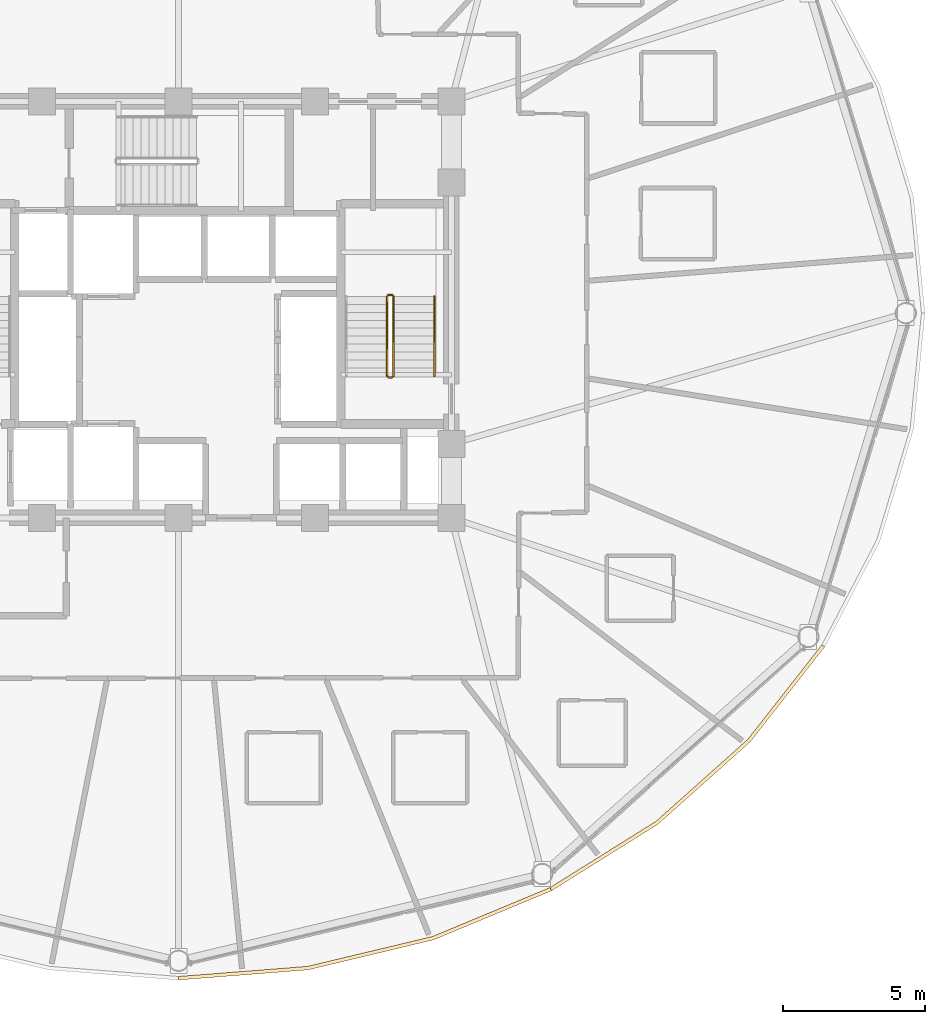
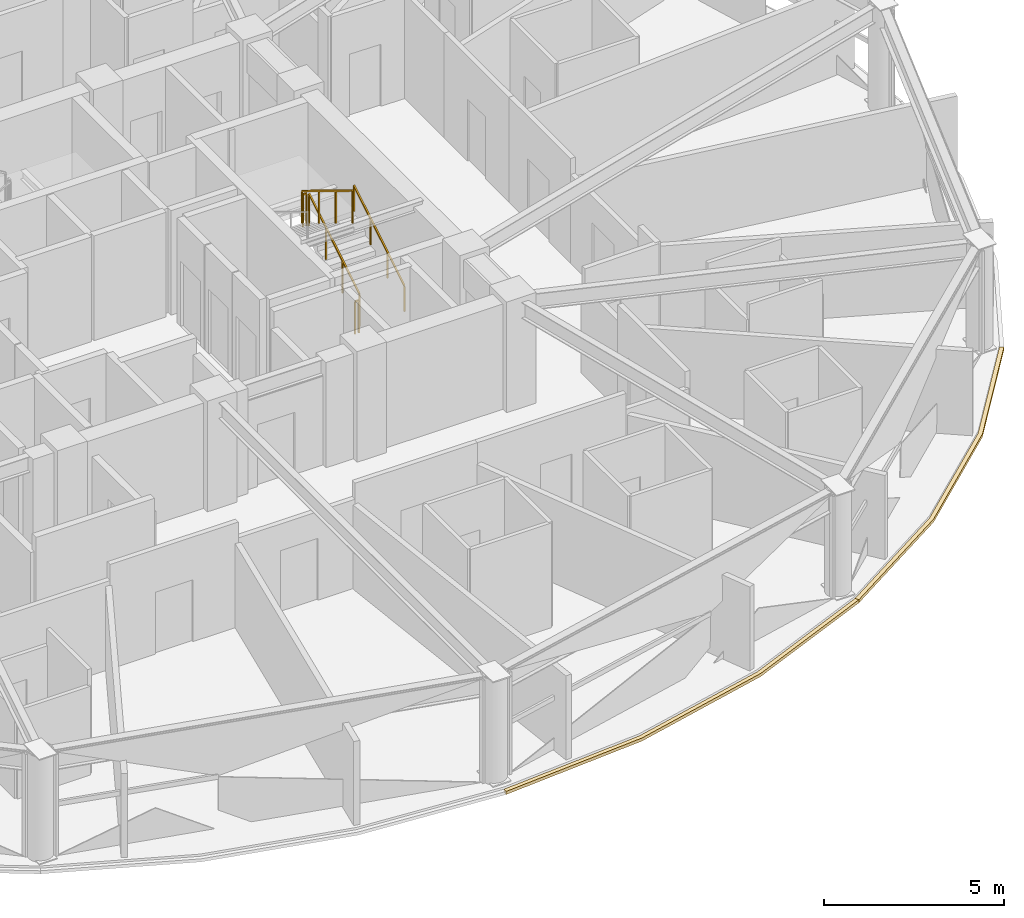
# One storey, part 31 of 32: 5 railings, 2 coverings.
"""IFC4 building model written with IfcOpenShell, lengths in metres."""

from ifc_helpers import new_model, si_unit, direction, frame, origin, origin_2d, place, context, subcontext, project, spatial, polyline, rectangle, outline, extrude, material, layer, layer_set, type_object, element, save


model = new_model("IFC4")

# Units and contexts
model_context = context("Model", 3, precision=1e-05, world=origin(), true_north=direction((0.0, 1.0)))
body_context = subcontext(model_context, "Body", "Model", "MODEL_VIEW")
ifc_project = project(units=[si_unit("LENGTHUNIT", "METRE"), si_unit("AREAUNIT", "SQUARE_METRE"), si_unit("VOLUMEUNIT", "CUBIC_METRE"), si_unit("PLANEANGLEUNIT", "RADIAN"), si_unit("MASSUNIT", "GRAM", prefix="KILO")], contexts=[model_context])

# Site, building, storey
site_placement = place(None, origin())
site = spatial("IfcSite", under=ifc_project, at=site_placement, CompositionType="ELEMENT")
building_placement = place(site_placement, origin())
building = spatial("IfcBuilding", under=site, at=building_placement, Name="Vantalir Tower", CompositionType="ELEMENT")
storey_placement = place(building_placement, frame((0.0, 0.0, 100.949951171875)))
storey = spatial("IfcBuildingStorey", under=building, at=storey_placement, Name="L24", CompositionType="ELEMENT", Elevation=100.949951171875)

# Coverings
ifc_material_1 = material(Name="Anodised champagne aluminium sill fascia", Category="aluminium")
ifc_layer = layer(ifc_material_1, 0.125)
ifc_layer_set = layer_set([ifc_layer], Name="Anodised champagne aluminium sill fascia")
covering_type = type_object("IfcCoveringType", Name="COV-SLAB-FASCIA-125", PredefinedType="CLADDING", material=ifc_layer_set)
covering_1_placement = place(storey_placement, frame((0.0, 0.0, -0.179931640625)))
element("IfcCovering", 1, at=covering_1_placement, inside=storey, type_object=covering_type, Name="L24 Perimeter Slab-Edge Sill Fascia 10", PredefinedType="CLADDING", context=body_context, shape_type="SweptSolid", body=[
    extrude(outline(polyline([(31.5, 1.537109375), (36.06103515625, 1.89306640625), (40.48193359375, 2.951904296875), (44.632080078125, 4.679931640625), (44.569091796875, 4.7890625), (40.43994140625, 3.069091796875), (36.0390625, 2.01708984375), (31.5, 1.662109375), (31.5, 1.537109375)])), origin(), (0.0, 0.0, 1.0), 0.10498046875),
])
covering_2_placement = place(storey_placement, frame((0.0, 0.0, -0.179931640625)))
element("IfcCovering", 2, at=covering_2_placement, inside=storey, type_object=covering_type, Name="L24 Perimeter Slab-Edge Sill Fascia 11", PredefinedType="CLADDING", context=body_context, shape_type="SweptSolid", body=[
    extrude(outline(polyline([(44.632080078125, 4.679931640625), (48.382080078125, 7.02587890625), (51.618896484375, 9.91796875), (54.243896484375, 13.26806640625), (54.135986328125, 13.3310546875), (51.52294921875, 9.9990234375), (48.301025390625, 7.1220703125), (44.569091796875, 4.7890625), (44.632080078125, 4.679931640625)])), origin(), (0.0, 0.0, 1.0), 0.10498046875),
])

# Railings
ifc_material_2 = material(Name="Anodised aluminium and stainless steel guard", Category="steel")
railing_type_1 = type_object("IfcRailingType", Name="RAL-GUARD-1120", PredefinedType="GUARDRAIL", material=ifc_material_2)
railing_1_placement = place(storey_placement, frame((39.06005859375, 22.7900390625, 0.17041015625)))
element("IfcRailing", 3, at=railing_1_placement, inside=storey, type_object=railing_type_1, Name="L24 ST2 stair guard 1", PredefinedType="GUARDRAIL", context=body_context, shape_type="SweptSolid", body=[
    extrude(rectangle(XDim=0.048095703125, YDim=0.048095703125, at=origin_2d()), frame((0.0, 0.0, 1.09619140625), z_axis=(0.0, 0.854169791009, 0.51999420009), x_axis=(-1.0, 0.0, 0.0)), (0.0, 0.0, 1.0), 3.278076171875),
    extrude(rectangle(XDim=0.0419921875, YDim=0.0419921875, at=origin_2d()), origin(), (0.0, 0.0, 1.0), 1.072021484375),
    extrude(rectangle(XDim=0.0419921875, YDim=0.0419921875, at=origin_2d()), frame((0.0, 0.933349609375, 0.568115234375)), (0.0, 0.0, 1.0), 1.072021484375),
    extrude(rectangle(XDim=0.0419921875, YDim=0.0419921875, at=origin_2d()), frame((0.0, 1.86669921875, 1.136474609375)), (0.0, 0.0, 1.0), 1.072021484375),
    extrude(rectangle(XDim=0.0419921875, YDim=0.0419921875, at=origin_2d()), frame((0.0, 2.800048828125, 1.70458984375)), (0.0, 0.0, 1.0), 1.072021484375),
])
railing_2_placement = place(storey_placement, frame((39.010009765625, 25.639892578125, 1.875)))
element("IfcRailing", 4, at=railing_2_placement, inside=storey, type_object=railing_type_1, Name="L24 ST2 stair guard 2", PredefinedType="GUARDRAIL", context=body_context, shape_type="SweptSolid", body=[
    extrude(rectangle(XDim=0.048095703125, YDim=0.048095703125, at=origin_2d()), frame((0.0, 0.0, 1.09619140625), z_axis=(-1.0, 0.0, 0.0), x_axis=(0.0, -1.0, 0.0)), (0.0, 0.0, 1.0), 0.1201171875),
    extrude(rectangle(XDim=0.0419921875, YDim=0.0419921875, at=origin_2d()), origin(), (0.0, 0.0, 1.0), 1.072021484375),
    extrude(rectangle(XDim=0.0419921875, YDim=0.0419921875, at=origin_2d()), frame((-0.1201171875, 0.0, 0.0)), (0.0, 0.0, 1.0), 1.072021484375),
])
railing_3_placement = place(storey_placement, frame((38.840087890625, 25.590087890625, 2.04541015625)))
element("IfcRailing", 5, at=railing_3_placement, inside=storey, type_object=railing_type_1, Name="L24 ST2 stair guard 3", PredefinedType="GUARDRAIL", context=body_context, shape_type="SweptSolid", body=[
    extrude(rectangle(XDim=0.048095703125, YDim=0.048095703125, at=origin_2d()), frame((0.0, 0.0, 1.09619140625), z_axis=(0.0, -0.854169791009, 0.51999420009), x_axis=(1.0, 0.0, 0.0)), (0.0, 0.0, 1.0), 3.278076171875),
    extrude(rectangle(XDim=0.0419921875, YDim=0.0419921875, at=origin_2d()), origin(), (0.0, 0.0, 1.0), 1.072021484375),
    extrude(rectangle(XDim=0.0419921875, YDim=0.0419921875, at=origin_2d()), frame((0.0, -0.933349609375, 0.568115234375)), (0.0, 0.0, 1.0), 1.072021484375),
    extrude(rectangle(XDim=0.0419921875, YDim=0.0419921875, at=origin_2d()), frame((0.0, -1.86669921875, 1.136474609375)), (0.0, 0.0, 1.0), 1.072021484375),
    extrude(rectangle(XDim=0.0419921875, YDim=0.0419921875, at=origin_2d()), frame((0.0, -2.800048828125, 1.70458984375)), (0.0, 0.0, 1.0), 1.072021484375),
])
railing_4_placement = place(storey_placement, frame((39.010009765625, 22.739990234375, 0.0)))
element("IfcRailing", 6, at=railing_4_placement, inside=storey, type_object=railing_type_1, Name="L24 ST2 stair guard 4", PredefinedType="GUARDRAIL", context=body_context, shape_type="SweptSolid", body=[
    extrude(rectangle(XDim=0.048095703125, YDim=0.048095703125, at=origin_2d()), frame((0.0, 0.0, 1.09619140625), z_axis=(-1.0, 0.0, 0.0), x_axis=(0.0, -1.0, 0.0)), (0.0, 0.0, 1.0), 0.1201171875),
    extrude(rectangle(XDim=0.0419921875, YDim=0.0419921875, at=origin_2d()), origin(), (0.0, 0.0, 1.0), 1.072021484375),
    extrude(rectangle(XDim=0.0419921875, YDim=0.0419921875, at=origin_2d()), frame((-0.1201171875, 0.0, 0.0)), (0.0, 0.0, 1.0), 1.072021484375),
])
ifc_material_3 = material(Name="Brushed stainless steel tubular handrail", Category="steel")
railing_type_2 = type_object("IfcRailingType", Name="RAL-HANDRAIL-900", PredefinedType="HANDRAIL", material=ifc_material_3)
railing_5_placement = place(storey_placement, frame((40.5, 22.7900390625, 0.17041015625)))
element("IfcRailing", 7, at=railing_5_placement, inside=storey, type_object=railing_type_2, Name="L24 ST2 stair handrail 1", PredefinedType="HANDRAIL", context=body_context, shape_type="SweptSolid", body=[
    extrude(rectangle(XDim=0.048095703125, YDim=0.048095703125, at=origin_2d()), frame((0.0, 0.0, 0.8759765625), z_axis=(0.0, 0.854169791009, 0.51999420009), x_axis=(-1.0, 0.0, 0.0)), (0.0, 0.0, 1.0), 3.278076171875),
    extrude(rectangle(XDim=0.0419921875, YDim=0.0419921875, at=origin_2d()), origin(), (0.0, 0.0, 1.0), 0.851806640625),
    extrude(rectangle(XDim=0.0419921875, YDim=0.0419921875, at=origin_2d()), frame((0.0, 0.933349609375, 0.568115234375)), (0.0, 0.0, 1.0), 0.851806640625),
    extrude(rectangle(XDim=0.0419921875, YDim=0.0419921875, at=origin_2d()), frame((0.0, 1.86669921875, 1.136474609375)), (0.0, 0.0, 1.0), 0.851806640625),
    extrude(rectangle(XDim=0.0419921875, YDim=0.0419921875, at=origin_2d()), frame((0.0, 2.800048828125, 1.70458984375)), (0.0, 0.0, 1.0), 0.851806640625),
])

save(model, "model.ifc")
